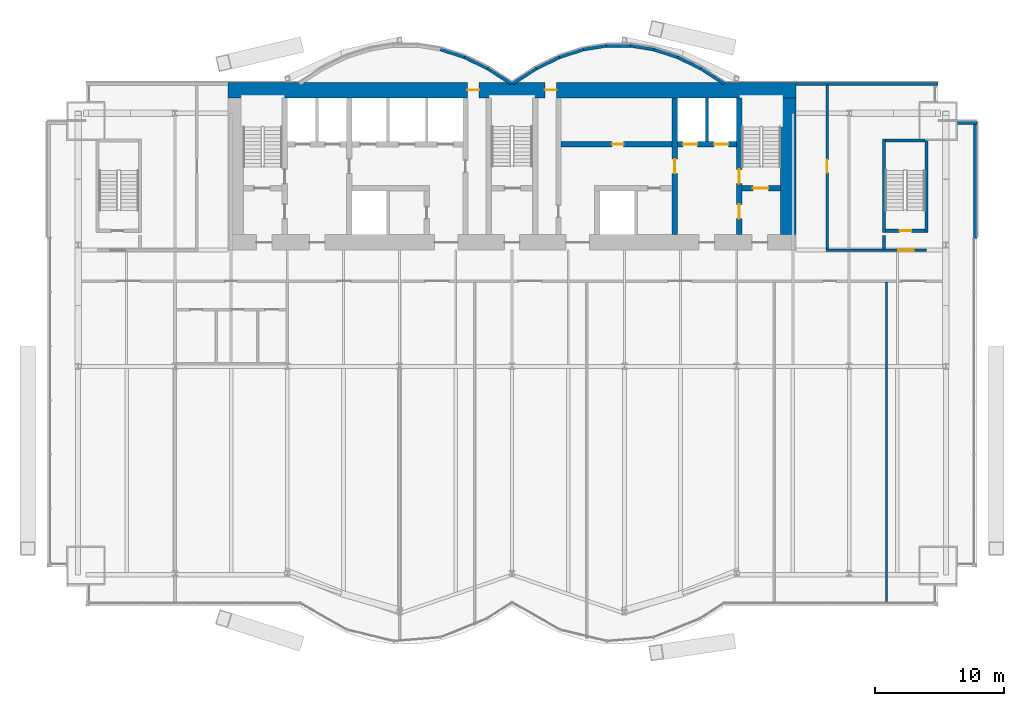
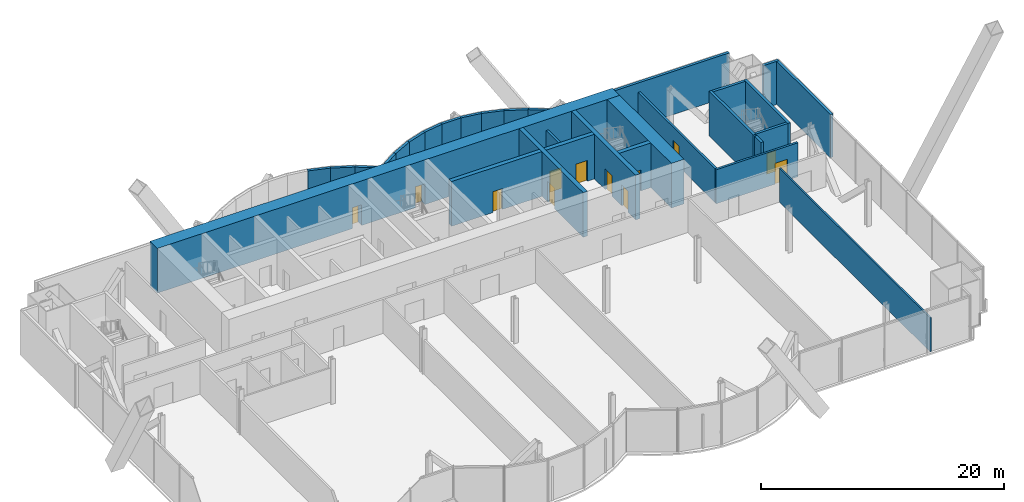
# One storey, part 19 of 23: 30 walls, 12 doors, 12 openings.
"""IFC4 building model written with IfcOpenShell, lengths in metres."""

from ifc_helpers import new_model, si_unit, direction, frame, frame_2d, origin, place, context, subcontext, project, spatial, rectangle, extrude, material, layer, layer_set, layer_usage, type_object, element, fill, save


model = new_model("IFC4")

# Units and contexts
model_context = context("Model", 3, precision=1e-05, world=origin(), true_north=direction((0.0, 1.0)))
body_context = subcontext(model_context, "Body", "Model", "MODEL_VIEW")
ifc_project = project(units=[si_unit("LENGTHUNIT", "METRE"), si_unit("AREAUNIT", "SQUARE_METRE"), si_unit("VOLUMEUNIT", "CUBIC_METRE"), si_unit("PLANEANGLEUNIT", "RADIAN"), si_unit("MASSUNIT", "GRAM", prefix="KILO")], contexts=[model_context])

# Site, building, storey
site_placement = place(None, origin())
site = spatial("IfcSite", under=ifc_project, at=site_placement, CompositionType="ELEMENT")
building_placement = place(site_placement, origin())
building = spatial("IfcBuilding", under=site, at=building_placement, Name="Bicima Exchange Tower", CompositionType="ELEMENT")
storey_placement = place(building_placement, frame((0.0, 0.0, 62.0)))
storey = spatial("IfcBuildingStorey", under=building, at=storey_placement, Name="L12", CompositionType="ELEMENT", Elevation=62.0)

# Wall
ifc_material_1 = material(Name="Gypsum board partition")
ifc_layer_1 = layer(ifc_material_1, 0.199951171875)
ifc_layer_set_1 = layer_set([ifc_layer_1], Name="Gypsum board partition")
wall_type_1 = type_object("IfcWallType", Name="Fire-rated gypsum partition 200 EI120", PredefinedType="PARTITIONING", material=ifc_layer_set_1)
wall_1_placement = place(storey_placement, frame((15.10009765625, -4.60009765625, 0.0), z_axis=(0.0, 0.0, 1.0), x_axis=(0.0, 1.0, 0.0)))
element("IfcWall", 1, at=wall_1_placement, inside=storey, type_object=wall_type_1, Name="partition wall 22", PredefinedType="PARTITIONING", context=body_context, shape_type="SweptSolid", body=[
    extrude(rectangle(XDim=3.400146484375, YDim=0.199951171875, at=frame_2d((1.7001953125, 0.0))), origin(), (0.0, 0.0, 1.0), 3.418212890625),
])

# Wall, opening, door
ifc_layer_2 = layer(ifc_material_1, 0.199951171875)
ifc_layer_set_2 = layer_set([ifc_layer_2], Name="Gypsum board partition")
wall_type_2 = type_object("IfcWallType", Name="Fire-rated gypsum partition 200 EI60", PredefinedType="PARTITIONING", material=ifc_layer_set_2)
wall_2_placement = place(storey_placement, frame((24.300048828125, -13.0, 0.0), z_axis=(0.0, 0.0, 1.0), x_axis=(1.0, 0.0, 0.0)))
wall_2 = element("IfcWall", 2, at=wall_2_placement, inside=storey, type_object=wall_type_2, Name="partition wall 5", PredefinedType="PARTITIONING", context=body_context, shape_type="SweptSolid", body=[
    extrude(rectangle(XDim=7.800048828125, YDim=0.199951171875, at=frame_2d((3.89990234375, 0.0))), origin(), (0.0, 0.0, 1.0), 3.418212890625),
])
opening_1_placement = place(wall_2_placement, frame((5.60009765625, 0.0, 0.0)))
opening_1 = element("IfcOpeningElement", 3, at=opening_1_placement, cuts=wall_2, Name="Opening L12-003", PredefinedType="OPENING", context=body_context, shape_type="SweptSolid", body=[
    extrude(rectangle(XDim=1.199951171875, YDim=2.10009765625, at=frame_2d((0.60009765625, 1.050048828125))), frame((0.0, 0.11181640625, 0.0), z_axis=(0.0, -1.0, 0.0), x_axis=(1.0, 0.0, 0.0)), (0.0, 0.0, 1.0), 0.223876953125),
])
ifc_material_2 = material(Name="Steel fire door leaf", Category="steel")
door_type_1 = type_object("IfcDoorType", Name="Door 1200 swing FD30S", OperationType="SINGLE_SWING_LEFT", PredefinedType="DOOR", material=ifc_material_2)
door_1_placement = place(opening_1_placement, origin())
door_1 = element("IfcDoor", 4, at=door_1_placement, inside=storey, type_object=door_type_1, Name="Door", OperationType="SINGLE_SWING_RIGHT", OverallHeight=2.10009765625, OverallWidth=1.199951171875, PredefinedType="DOOR", context=body_context, shape_type="SweptSolid", body=[
    extrude(rectangle(XDim=1.199951171875, YDim=2.10009765625, at=frame_2d((0.60009765625, 1.050048828125))), frame((0.0, 0.02490234375, 0.0), z_axis=(0.0, -1.0, 0.0), x_axis=(1.0, 0.0, 0.0)), (0.0, 0.0, 1.0), 0.050048828125),
])
fill(opening_1, door_1)

wall_3_placement = place(storey_placement, frame((24.39990234375, -12.89990234375, 0.0), z_axis=(0.0, 0.0, 1.0), x_axis=(0.0, 1.0, 0.0)))
wall_3 = element("IfcWall", 5, at=wall_3_placement, inside=storey, type_object=wall_type_2, Name="partition wall 24", PredefinedType="PARTITIONING", context=body_context, shape_type="SweptSolid", body=[
    extrude(rectangle(XDim=12.68994140625, YDim=0.199951171875, at=frame_2d((6.344970703125, 0.0))), origin(), (0.0, 0.0, 1.0), 3.418212890625),
])
opening_2_placement = place(wall_3_placement, frame((5.89990234375, 0.0, 0.0)))
opening_2 = element("IfcOpeningElement", 6, at=opening_2_placement, cuts=wall_3, Name="Opening L12-006", PredefinedType="OPENING", context=body_context, shape_type="SweptSolid", body=[
    extrude(rectangle(XDim=1.0, YDim=2.10009765625, at=frame_2d((0.5, 1.050048828125))), frame((0.0, 0.11181640625, 0.0), z_axis=(0.0, -1.0, 0.0), x_axis=(1.0, 0.0, 0.0)), (0.0, 0.0, 1.0), 0.223876953125),
])
door_type_2 = type_object("IfcDoorType", Name="Door 1000 swing FD30S", OperationType="SINGLE_SWING_LEFT", PredefinedType="DOOR", material=ifc_material_2)
door_2_placement = place(opening_2_placement, frame((1.0, 0.0, 0.0), z_axis=(0.0, 0.0, 1.0), x_axis=(-1.0, 0.0, 0.0)))
door_2 = element("IfcDoor", 7, at=door_2_placement, inside=storey, type_object=door_type_2, Name="Door", OperationType="SINGLE_SWING_RIGHT", OverallHeight=2.10009765625, OverallWidth=1.0, PredefinedType="DOOR", context=body_context, shape_type="SweptSolid", body=[
    extrude(rectangle(XDim=1.0, YDim=2.10009765625, at=frame_2d((0.5, 1.050048828125))), frame((0.0, 0.02490234375, 0.0), z_axis=(0.0, -1.0, 0.0), x_axis=(1.0, 0.0, 0.0)), (0.0, 0.0, 1.0), 0.050048828125),
])
fill(opening_2, door_2)

# Wall
ifc_layer_3 = layer(ifc_material_1, 0.14990234375)
ifc_layer_set_3 = layer_set([ifc_layer_3], Name="Gypsum board partition")
wall_type_3 = type_object("IfcWallType", Name="Gypsum partition 150", PredefinedType="PARTITIONING", material=ifc_layer_set_3)
wall_4_placement = place(storey_placement, frame((29.0, -40.330078125, 0.0), z_axis=(0.0, 0.0, 1.0), x_axis=(0.0, 1.0, 0.0)))
element("IfcWall", 8, at=wall_4_placement, inside=storey, type_object=wall_type_3, Name="partition wall 26", PredefinedType="PARTITIONING", context=body_context, shape_type="SweptSolid", body=[
    extrude(rectangle(XDim=24.830078125, YDim=0.14990234375, at=frame_2d((12.4150390625, 0.0))), origin(), (0.0, 0.0, 1.0), 3.418212890625),
])

# Wall, openings, doors
ifc_material_3 = material(Name="Concrete C60/75", Category="concrete")
ifc_layer_4 = layer(ifc_material_3, 1.199951171875)
ifc_layer_set_4 = layer_set([ifc_layer_4], Name="Concrete C60/75")
wall_type_4 = type_object("IfcWallType", Name="RC core wall 1200 C60/75", PredefinedType="SHEAR", material=ifc_layer_set_4)
wall_5_placement = place(storey_placement, frame((-22.0, -0.60009765625, 0.0), z_axis=(0.0, 0.0, 1.0), x_axis=(1.0, 0.0, 0.0)))
wall_5 = element("IfcWall", 9, at=wall_5_placement, inside=storey, type_object=wall_type_4, Name="Core wall north", PredefinedType="SHEAR", context=body_context, shape_type="SweptSolid", body=[
    extrude(rectangle(XDim=44.0, YDim=1.199951171875, at=frame_2d((22.0, 0.0))), origin(), (0.0, 0.0, 1.0), 4.5),
])
opening_3_placement = place(wall_5_placement, frame((18.550048828125, 0.0, 0.0)))
opening_3 = element("IfcOpeningElement", 10, at=opening_3_placement, cuts=wall_5, Name="Opening L12-C15", PredefinedType="OPENING", context=body_context, shape_type="SweptSolid", body=[
    extrude(rectangle(XDim=0.89990234375, YDim=2.10009765625, at=frame_2d((0.449951171875, 1.050048828125))), frame((0.0, 0.61181640625, 0.0), z_axis=(0.0, -1.0, 0.0), x_axis=(1.0, 0.0, 0.0)), (0.0, 0.0, 1.0), 1.223876953125),
])
opening_4_placement = place(wall_5_placement, frame((24.550048828125, 0.0, 0.0)))
opening_4 = element("IfcOpeningElement", 11, at=opening_4_placement, cuts=wall_5, Name="Opening L12-C16", PredefinedType="OPENING", context=body_context, shape_type="SweptSolid", body=[
    extrude(rectangle(XDim=0.89990234375, YDim=2.10009765625, at=frame_2d((0.449951171875, 1.050048828125))), frame((0.0, 0.61181640625, 0.0), z_axis=(0.0, -1.0, 0.0), x_axis=(1.0, 0.0, 0.0)), (0.0, 0.0, 1.0), 1.223876953125),
])
door_type_3 = type_object("IfcDoorType", Name="Door 900 swing FD30S", OperationType="SINGLE_SWING_LEFT", PredefinedType="DOOR", material=ifc_material_2)
door_3_placement = place(opening_3_placement, origin())
door_3 = element("IfcDoor", 12, at=door_3_placement, inside=storey, type_object=door_type_3, Name="Core door", OperationType="SINGLE_SWING_LEFT", OverallHeight=2.10009765625, OverallWidth=0.89990234375, PredefinedType="DOOR", context=body_context, shape_type="SweptSolid", body=[
    extrude(rectangle(XDim=0.89990234375, YDim=2.10009765625, at=frame_2d((0.449951171875, 1.050048828125))), frame((0.0, 0.02490234375, 0.0), z_axis=(0.0, -1.0, 0.0), x_axis=(1.0, 0.0, 0.0)), (0.0, 0.0, 1.0), 0.050048828125),
])
fill(opening_3, door_3)
door_4_placement = place(opening_4_placement, origin())
door_4 = element("IfcDoor", 13, at=door_4_placement, inside=storey, type_object=door_type_3, Name="Core door", OperationType="SINGLE_SWING_LEFT", OverallHeight=2.10009765625, OverallWidth=0.89990234375, PredefinedType="DOOR", context=body_context, shape_type="SweptSolid", body=[
    extrude(rectangle(XDim=0.89990234375, YDim=2.10009765625, at=frame_2d((0.449951171875, 1.050048828125))), frame((0.0, 0.02490234375, 0.0), z_axis=(0.0, -1.0, 0.0), x_axis=(1.0, 0.0, 0.0)), (0.0, 0.0, 1.0), 0.050048828125),
])
fill(opening_4, door_4)

# Walls
wall_6_placement = place(storey_placement, frame((21.39990234375, -11.800048828125, 0.0), z_axis=(0.0, 0.0, 1.0), x_axis=(0.0, 1.0, 0.0)))
element("IfcWall", 14, at=wall_6_placement, inside=storey, type_object=wall_type_4, Name="Core wall east", PredefinedType="SHEAR", context=body_context, shape_type="SweptSolid", body=[
    extrude(rectangle(XDim=10.60009765625, YDim=1.199951171875, at=frame_2d((5.300048828125, 0.0))), origin(), (0.0, 0.0, 1.0), 4.5),
])
ifc_material_4 = material(Name="Concrete C50/60", Category="concrete")
ifc_layer_5 = layer(ifc_material_4, 0.25)
ifc_layer_set_5 = layer_set([ifc_layer_5], Name="Concrete C50/60")
wall_type_5 = type_object("IfcWallType", Name="RC core wall 250 C50/60", PredefinedType="SHEAR", material=ifc_layer_set_5)
wall_7_placement = place(storey_placement, frame((28.800048828125, -12.89990234375, 0.0), z_axis=(0.0, 0.0, 1.0), x_axis=(0.0, 1.0, 0.0)))
element("IfcWall", 15, at=wall_7_placement, inside=storey, type_object=wall_type_5, Name="stair wall 25", PredefinedType="SHEAR", context=body_context, shape_type="SweptSolid", body=[
    extrude(rectangle(XDim=1.0498046875, YDim=0.25, at=frame_2d((0.52490234375, 0.0))), origin(), (0.0, 0.0, 1.0), 4.5),
])

# Wall, opening, door
ifc_layer_6 = layer(ifc_material_4, 0.39990234375)
ifc_layer_set_6 = layer_set([ifc_layer_6], Name="Concrete C50/60")
wall_type_6 = type_object("IfcWallType", Name="RC core wall 400 C50/60", PredefinedType="SHEAR", material=ifc_layer_set_6)
wall_8_placement = place(storey_placement, frame((17.800048828125, -8.199951171875, 0.0), z_axis=(0.0, 0.0, 1.0), x_axis=(1.0, 0.0, 0.0)))
wall_8 = element("IfcWall", 16, at=wall_8_placement, inside=storey, type_object=wall_type_6, Name="stair wall 5", PredefinedType="SHEAR", context=body_context, shape_type="SweptSolid", body=[
    extrude(rectangle(XDim=3.0, YDim=0.39990234375, at=frame_2d((1.5, 0.0))), origin(), (0.0, 0.0, 1.0), 4.5),
])
opening_5_placement = place(wall_8_placement, frame((0.85009765625, 0.0, 0.0)))
opening_5 = element("IfcOpeningElement", 17, at=opening_5_placement, cuts=wall_8, Name="Opening L12-C04", PredefinedType="OPENING", context=body_context, shape_type="SweptSolid", body=[
    extrude(rectangle(XDim=1.199951171875, YDim=2.10009765625, at=frame_2d((0.60009765625, 1.050048828125))), frame((0.0, 0.2119140625, 0.0), z_axis=(0.0, -1.0, 0.0), x_axis=(1.0, 0.0, 0.0)), (0.0, 0.0, 1.0), 0.423828125),
])
door_type_4 = type_object("IfcDoorType", Name="Door 1200 swing FD60S", OperationType="SINGLE_SWING_LEFT", PredefinedType="DOOR", material=ifc_material_2)
door_5_placement = place(opening_5_placement, origin())
door_5 = element("IfcDoor", 18, at=door_5_placement, inside=storey, type_object=door_type_4, Name="Core door", OperationType="SINGLE_SWING_RIGHT", OverallHeight=2.10009765625, OverallWidth=1.199951171875, PredefinedType="DOOR", context=body_context, shape_type="SweptSolid", body=[
    extrude(rectangle(XDim=1.199951171875, YDim=2.10009765625, at=frame_2d((0.60009765625, 1.050048828125))), frame((0.0, 0.02490234375, 0.0), z_axis=(0.0, -1.0, 0.0), x_axis=(1.0, 0.0, 0.0)), (0.0, 0.0, 1.0), 0.050048828125),
])
fill(opening_5, door_5)

# Wall, openings, doors
wall_9_placement = place(storey_placement, frame((17.60009765625, -11.800048828125, 0.0), z_axis=(0.0, 0.0, 1.0), x_axis=(0.0, 1.0, 0.0)))
wall_9 = element("IfcWall", 19, at=wall_9_placement, inside=storey, type_object=wall_type_6, Name="stair wall 23", PredefinedType="SHEAR", context=body_context, shape_type="SweptSolid", body=[
    extrude(rectangle(XDim=10.60009765625, YDim=0.39990234375, at=frame_2d((5.300048828125, 0.0))), origin(), (0.0, 0.0, 1.0), 4.5),
])
opening_6_placement = place(wall_9_placement, frame((1.25, 0.0, 0.0)))
opening_6 = element("IfcOpeningElement", 20, at=opening_6_placement, cuts=wall_9, Name="Opening L12-C05", PredefinedType="OPENING", context=body_context, shape_type="SweptSolid", body=[
    extrude(rectangle(XDim=1.10009765625, YDim=2.10009765625, at=frame_2d((0.550048828125, 1.050048828125))), frame((0.0, 0.2119140625, 0.0), z_axis=(0.0, -1.0, 0.0), x_axis=(1.0, 0.0, 0.0)), (0.0, 0.0, 1.0), 0.423828125),
])
opening_7_placement = place(wall_9_placement, frame((3.949951171875, 0.0, 0.0)))
opening_7 = element("IfcOpeningElement", 21, at=opening_7_placement, cuts=wall_9, Name="Opening L12-C08", PredefinedType="OPENING", context=body_context, shape_type="SweptSolid", body=[
    extrude(rectangle(XDim=1.10009765625, YDim=2.10009765625, at=frame_2d((0.550048828125, 1.050048828125))), frame((0.0, 0.2119140625, 0.0), z_axis=(0.0, -1.0, 0.0), x_axis=(1.0, 0.0, 0.0)), (0.0, 0.0, 1.0), 0.423828125),
])
door_type_5 = type_object("IfcDoorType", Name="Door 1100 swing FD60S", OperationType="SINGLE_SWING_LEFT", PredefinedType="DOOR", material=ifc_material_2)
door_6_placement = place(opening_6_placement, origin())
door_6 = element("IfcDoor", 22, at=door_6_placement, inside=storey, type_object=door_type_5, Name="Core door", OperationType="SINGLE_SWING_LEFT", OverallHeight=2.10009765625, OverallWidth=1.10009765625, PredefinedType="DOOR", context=body_context, shape_type="SweptSolid", body=[
    extrude(rectangle(XDim=1.10009765625, YDim=2.10009765625, at=frame_2d((0.550048828125, 1.050048828125))), frame((0.0, 0.02490234375, 0.0), z_axis=(0.0, -1.0, 0.0), x_axis=(1.0, 0.0, 0.0)), (0.0, 0.0, 1.0), 0.050048828125),
])
fill(opening_6, door_6)
door_7_placement = place(opening_7_placement, origin())
door_7 = element("IfcDoor", 23, at=door_7_placement, inside=storey, type_object=door_type_5, Name="Core door", OperationType="SINGLE_SWING_RIGHT", OverallHeight=2.10009765625, OverallWidth=1.10009765625, PredefinedType="DOOR", context=body_context, shape_type="SweptSolid", body=[
    extrude(rectangle(XDim=1.10009765625, YDim=2.10009765625, at=frame_2d((0.550048828125, 1.050048828125))), frame((0.0, 0.02490234375, 0.0), z_axis=(0.0, -1.0, 0.0), x_axis=(1.0, 0.0, 0.0)), (0.0, 0.0, 1.0), 0.050048828125),
])
fill(opening_7, door_7)

ifc_layer_7 = layer(ifc_material_3, 0.39990234375)
ifc_layer_set_7 = layer_set([ifc_layer_7], Name="Concrete C60/75")
wall_type_7 = type_object("IfcWallType", Name="RC core wall 400 C60/75", PredefinedType="SHEAR", material=ifc_layer_set_7)
wall_10_placement = place(storey_placement, frame((3.800048828125, -4.800048828125, 0.0), z_axis=(0.0, 0.0, 1.0), x_axis=(1.0, 0.0, 0.0)))
wall_10 = element("IfcWall", 24, at=wall_10_placement, inside=storey, type_object=wall_type_7, Name="shear wall 7", PredefinedType="SHEAR", context=body_context, shape_type="SweptSolid", body=[
    extrude(rectangle(XDim=13.599853515625, YDim=0.39990234375, at=frame_2d((6.7998046875, 0.0))), origin(), (0.0, 0.0, 1.0), 4.5),
])
opening_8_placement = place(wall_10_placement, frame((9.449951171875, 0.0, 0.0)))
opening_8 = element("IfcOpeningElement", 25, at=opening_8_placement, cuts=wall_10, Name="Opening LD-FF2-L12", PredefinedType="OPENING", context=body_context, shape_type="SweptSolid", body=[
    extrude(rectangle(XDim=1.10009765625, YDim=2.10009765625, at=frame_2d((0.550048828125, 1.050048828125))), frame((0.0, 0.2119140625, 0.0), z_axis=(0.0, -1.0, 0.0), x_axis=(1.0, 0.0, 0.0)), (0.0, 0.0, 1.0), 0.423828125),
])
opening_9_placement = place(wall_10_placement, frame((11.85009765625, 0.0, 0.0)))
opening_9 = element("IfcOpeningElement", 26, at=opening_9_placement, cuts=wall_10, Name="Opening LD-SV1-L12", PredefinedType="OPENING", context=body_context, shape_type="SweptSolid", body=[
    extrude(rectangle(XDim=1.10009765625, YDim=2.10009765625, at=frame_2d((0.550048828125, 1.050048828125))), frame((0.0, 0.2119140625, 0.0), z_axis=(0.0, -1.0, 0.0), x_axis=(1.0, 0.0, 0.0)), (0.0, 0.0, 1.0), 0.423828125),
])
opening_10_placement = place(wall_10_placement, frame((3.949951171875, 0.0, 0.0)))
opening_10 = element("IfcOpeningElement", 27, at=opening_10_placement, cuts=wall_10, Name="Opening L12-C12", PredefinedType="OPENING", context=body_context, shape_type="SweptSolid", body=[
    extrude(rectangle(XDim=0.89990234375, YDim=2.10009765625, at=frame_2d((0.449951171875, 1.050048828125))), frame((0.0, 0.2119140625, 0.0), z_axis=(0.0, -1.0, 0.0), x_axis=(1.0, 0.0, 0.0)), (0.0, 0.0, 1.0), 0.423828125),
])
door_8_placement = place(opening_10_placement, origin())
door_8 = element("IfcDoor", 28, at=door_8_placement, inside=storey, type_object=door_type_3, Name="Core door", OperationType="SINGLE_SWING_RIGHT", OverallHeight=2.10009765625, OverallWidth=0.89990234375, PredefinedType="DOOR", context=body_context, shape_type="SweptSolid", body=[
    extrude(rectangle(XDim=0.89990234375, YDim=2.10009765625, at=frame_2d((0.449951171875, 1.050048828125))), frame((0.0, 0.02490234375, 0.0), z_axis=(0.0, -1.0, 0.0), x_axis=(1.0, 0.0, 0.0)), (0.0, 0.0, 1.0), 0.050048828125),
])
fill(opening_10, door_8)
ifc_material_5 = material(Name="Stainless steel", Category="steel")
door_type_6 = type_object("IfcDoorType", Name="Lift landing door 1100 sliding", OperationType="DOUBLE_DOOR_SLIDING", PredefinedType="DOOR", material=ifc_material_5)
door_9_placement = place(opening_8_placement, origin())
door_9 = element("IfcDoor", 29, at=door_9_placement, inside=storey, type_object=door_type_6, Name="Lift landing door FF2", OperationType="DOUBLE_DOOR_SLIDING", OverallHeight=2.10009765625, OverallWidth=1.10009765625, PredefinedType="DOOR", context=body_context, shape_type="SweptSolid", body=[
    extrude(rectangle(XDim=1.10009765625, YDim=2.10009765625, at=frame_2d((0.550048828125, 1.050048828125))), frame((0.0, 0.02490234375, 0.0), z_axis=(0.0, -1.0, 0.0), x_axis=(1.0, 0.0, 0.0)), (0.0, 0.0, 1.0), 0.050048828125),
])
fill(opening_8, door_9)
door_10_placement = place(opening_9_placement, origin())
door_10 = element("IfcDoor", 30, at=door_10_placement, inside=storey, type_object=door_type_6, Name="Lift landing door SV1", OperationType="DOUBLE_DOOR_SLIDING", OverallHeight=2.10009765625, OverallWidth=1.10009765625, PredefinedType="DOOR", context=body_context, shape_type="SweptSolid", body=[
    extrude(rectangle(XDim=1.10009765625, YDim=2.10009765625, at=frame_2d((0.550048828125, 1.050048828125))), frame((0.0, 0.02490234375, 0.0), z_axis=(0.0, -1.0, 0.0), x_axis=(1.0, 0.0, 0.0)), (0.0, 0.0, 1.0), 0.050048828125),
])
fill(opening_9, door_10)

# Wall, opening, door
wall_11_placement = place(storey_placement, frame((12.60009765625, -11.800048828125, 0.0), z_axis=(0.0, 0.0, 1.0), x_axis=(0.0, 1.0, 0.0)))
wall_11 = element("IfcWall", 31, at=wall_11_placement, inside=storey, type_object=wall_type_7, Name="shear wall 21", PredefinedType="SHEAR", context=body_context, shape_type="SweptSolid", body=[
    extrude(rectangle(XDim=10.60009765625, YDim=0.39990234375, at=frame_2d((5.300048828125, 0.0))), origin(), (0.0, 0.0, 1.0), 4.5),
])
opening_11_placement = place(wall_11_placement, frame((4.75, 0.0, 0.0)))
opening_11 = element("IfcOpeningElement", 32, at=opening_11_placement, cuts=wall_11, Name="Opening L12-C09", PredefinedType="OPENING", context=body_context, shape_type="SweptSolid", body=[
    extrude(rectangle(XDim=1.10009765625, YDim=2.10009765625, at=frame_2d((0.550048828125, 1.050048828125))), frame((0.0, 0.2119140625, 0.0), z_axis=(0.0, -1.0, 0.0), x_axis=(1.0, 0.0, 0.0)), (0.0, 0.0, 1.0), 0.423828125),
])
door_11_placement = place(opening_11_placement, frame((1.10009765625, 0.0, 0.0), z_axis=(0.0, 0.0, 1.0), x_axis=(-1.0, 0.0, 0.0)))
door_11 = element("IfcDoor", 33, at=door_11_placement, inside=storey, type_object=door_type_5, Name="Core door", OperationType="SINGLE_SWING_RIGHT", OverallHeight=2.10009765625, OverallWidth=1.10009765625, PredefinedType="DOOR", context=body_context, shape_type="SweptSolid", body=[
    extrude(rectangle(XDim=1.10009765625, YDim=2.10009765625, at=frame_2d((0.550048828125, 1.050048828125))), frame((0.0, 0.02490234375, 0.0), z_axis=(0.0, -1.0, 0.0), x_axis=(1.0, 0.0, 0.0)), (0.0, 0.0, 1.0), 0.050048828125),
])
fill(opening_11, door_11)

# Walls
ifc_layer_8 = layer(ifc_material_4, 0.25)
ifc_layer_set_8 = layer_set([ifc_layer_8], Name="Concrete C50/60")
wall_type_8 = type_object("IfcWallType", Name="RC stair enclosure wall 250 C50/60", PredefinedType="SHEAR", material=ifc_layer_set_8)
for number, where, z_axis, x_axis, name in (
    (34, (28.800048828125, -11.625, 0.0), (0.0, 0.0, 1.0), (0.0, 1.0, 0.0), "East end exit stair wall W"),
    (35, (32.10009765625, -11.625, 0.0), (0.0, 0.0, 1.0), (0.0, 1.0, 0.0), "East end exit stair wall E"),
):
    element("IfcWall", number, at=place(storey_placement, frame(where, z_axis=z_axis, x_axis=x_axis)), inside=storey, type_object=wall_type_8, Name=name, PredefinedType="SHEAR", context=body_context, shape_type="SweptSolid", body=[
        extrude(rectangle(XDim=7.25, YDim=0.25, at=frame_2d((3.625, 0.0))), origin(), (0.0, 0.0, 1.0), 4.5),
    ])

# Wall, opening, door
wall_12_placement = place(storey_placement, frame((28.925048828125, -11.5, 0.0), z_axis=(0.0, 0.0, 1.0), x_axis=(1.0, 0.0, 0.0)))
wall_12 = element("IfcWall", 36, at=wall_12_placement, inside=storey, type_object=wall_type_8, Name="East end exit stair wall S", PredefinedType="SHEAR", context=body_context, shape_type="SweptSolid", body=[
    extrude(rectangle(XDim=3.050048828125, YDim=0.25, at=frame_2d((1.52490234375, 0.0))), origin(), (0.0, 0.0, 1.0), 4.5),
])
opening_12_placement = place(wall_12_placement, frame((1.10009765625, 0.0, 0.0)))
opening_12 = element("IfcOpeningElement", 37, at=opening_12_placement, cuts=wall_12, Name="Opening L12-004", PredefinedType="OPENING", context=body_context, shape_type="SweptSolid", body=[
    extrude(rectangle(XDim=0.89990234375, YDim=2.10009765625, at=frame_2d((0.449951171875, 1.050048828125))), frame((0.0, 0.136962890625, 0.0), z_axis=(0.0, -1.0, 0.0), x_axis=(1.0, 0.0, 0.0)), (0.0, 0.0, 1.0), 0.27392578125),
])
door_type_7 = type_object("IfcDoorType", Name="Door 900 swing FD60S", OperationType="SINGLE_SWING_LEFT", PredefinedType="DOOR", material=ifc_material_2)
door_12_placement = place(opening_12_placement, origin())
door_12 = element("IfcDoor", 38, at=door_12_placement, inside=storey, type_object=door_type_7, Name="Door", OperationType="SINGLE_SWING_LEFT", OverallHeight=2.10009765625, OverallWidth=0.89990234375, PredefinedType="DOOR", context=body_context, shape_type="SweptSolid", body=[
    extrude(rectangle(XDim=0.89990234375, YDim=2.10009765625, at=frame_2d((0.449951171875, 1.050048828125))), frame((0.0, 0.02490234375, 0.0), z_axis=(0.0, -1.0, 0.0), x_axis=(1.0, 0.0, 0.0)), (0.0, 0.0, 1.0), 0.050048828125),
])
fill(opening_12, door_12)

# Walls
wall_13_placement = place(storey_placement, frame((28.925048828125, -4.5, 0.0), z_axis=(0.0, 0.0, 1.0), x_axis=(1.0, 0.0, 0.0)))
element("IfcWall", 39, at=wall_13_placement, inside=storey, type_object=wall_type_8, Name="East end exit stair wall N", PredefinedType="SHEAR", context=body_context, shape_type="SweptSolid", body=[
    extrude(rectangle(XDim=3.050048828125, YDim=0.25, at=frame_2d((1.52490234375, 0.0))), origin(), (0.0, 0.0, 1.0), 4.5),
])
ifc_material_6 = material(Name="Concrete C40/50", Category="concrete")
ifc_layer_9 = layer(ifc_material_6, 0.25)
ifc_layer_set_9 = layer_set([ifc_layer_9], Name="Concrete C40/50")
ifc_layer_usage = layer_usage(ifc_layer_set_9, "AXIS2", "POSITIVE", -0.125)
wall_type_9 = type_object("IfcWallType", Name="Rear backup wall 250", PredefinedType="STANDARD", material=ifc_layer_set_9)
wall_14_placement = place(storey_placement, frame((33.0, -0.125, 0.0), z_axis=(0.0, 0.0, 1.0), x_axis=(-1.0, 0.0, 0.0)))
element("IfcWall", 40, at=wall_14_placement, inside=storey, type_object=wall_type_9, material=ifc_layer_usage, Name="Rear backup wall L12 1", PredefinedType="STANDARD", context=body_context, shape_type="SweptSolid", body=[
    extrude(rectangle(XDim=11.0, YDim=0.25, at=frame_2d((5.5, 0.0))), origin(), (0.0, 0.0, 1.0), 4.35009765625),
])
wall_15_placement = place(storey_placement, frame((16.43212890625, -0.10498046875, 0.0), z_axis=(0.0, 0.0, 1.0), x_axis=(-0.83981312244, 0.542875602121, 0.0)))
element("IfcWall", 41, at=wall_15_placement, inside=storey, type_object=wall_type_9, material=ifc_layer_usage, Name="Rear backup wall L12 2", PredefinedType="STANDARD", context=body_context, shape_type="SweptSolid", body=[
    extrude(rectangle(XDim=2.182861328125, YDim=0.25, at=frame_2d((1.09130859375, 0.0))), origin(), (0.0, 0.0, 1.0), 4.35009765625),
])
wall_16_placement = place(storey_placement, frame((14.6123046875, 1.07275390625, 0.0), z_axis=(0.0, 0.0, 1.0), x_axis=(-0.89982408427, 0.436252928206, 0.0)))
element("IfcWall", 42, at=wall_16_placement, inside=storey, type_object=wall_type_9, material=ifc_layer_usage, Name="Rear backup wall L12 3", PredefinedType="STANDARD", context=body_context, shape_type="SweptSolid", body=[
    extrude(rectangle(XDim=2.03759765625, YDim=0.25, at=frame_2d((1.018798828125, 0.0))), origin(), (0.0, 0.0, 1.0), 4.35009765625),
])
wall_17_placement = place(storey_placement, frame((12.794921875, 1.955078125, 0.0), z_axis=(0.0, 0.0, 1.0), x_axis=(-0.951495806175, 0.307661714928, 0.0)))
element("IfcWall", 43, at=wall_17_placement, inside=storey, type_object=wall_type_9, material=ifc_layer_usage, Name="Rear backup wall L12 4", PredefinedType="STANDARD", context=body_context, shape_type="SweptSolid", body=[
    extrude(rectangle(XDim=1.9267578125, YDim=0.25, at=frame_2d((0.96337890625, 0.0))), origin(), (0.0, 0.0, 1.0), 4.35009765625),
])
wall_18_placement = place(storey_placement, frame((10.97998046875, 2.543212890625, 0.0), z_axis=(0.0, 0.0, 1.0), x_axis=(-0.987181718931, 0.159600293885, 0.0)))
element("IfcWall", 44, at=wall_18_placement, inside=storey, type_object=wall_type_9, material=ifc_layer_usage, Name="Rear backup wall L12 5", PredefinedType="STANDARD", context=body_context, shape_type="SweptSolid", body=[
    extrude(rectangle(XDim=1.857177734375, YDim=0.25, at=frame_2d((0.9287109375, 0.0))), origin(), (0.0, 0.0, 1.0), 4.35009765625),
])
wall_19_placement = place(storey_placement, frame((9.166748046875, 2.837890625, 0.0), z_axis=(0.0, 0.0, 1.0), x_axis=(-1.0, 0.0, 0.0)))
element("IfcWall", 45, at=wall_19_placement, inside=storey, type_object=wall_type_9, material=ifc_layer_usage, Name="Rear backup wall L12 6", PredefinedType="STANDARD", context=body_context, shape_type="SweptSolid", body=[
    extrude(rectangle(XDim=1.83349609375, YDim=0.25, at=frame_2d((0.916748046875, 0.0))), origin(), (0.0, 0.0, 1.0), 4.35009765625),
])
wall_20_placement = place(storey_placement, frame((7.353271484375, 2.839599609375, 0.0), z_axis=(0.0, 0.0, 1.0), x_axis=(-0.987181718931, -0.159600293885, 0.0)))
element("IfcWall", 46, at=wall_20_placement, inside=storey, type_object=wall_type_9, material=ifc_layer_usage, Name="Rear backup wall L12 7", PredefinedType="STANDARD", context=body_context, shape_type="SweptSolid", body=[
    extrude(rectangle(XDim=1.857177734375, YDim=0.25, at=frame_2d((0.9287109375, 0.0))), origin(), (0.0, 0.0, 1.0), 4.35009765625),
])
wall_21_placement = place(storey_placement, frame((5.538330078125, 2.5478515625, 0.0), z_axis=(0.0, 0.0, 1.0), x_axis=(-0.951495806175, -0.307661714928, 0.0)))
element("IfcWall", 47, at=wall_21_placement, inside=storey, type_object=wall_type_9, material=ifc_layer_usage, Name="Rear backup wall L12 8", PredefinedType="STANDARD", context=body_context, shape_type="SweptSolid", body=[
    extrude(rectangle(XDim=1.9267578125, YDim=0.25, at=frame_2d((0.96337890625, 0.0))), origin(), (0.0, 0.0, 1.0), 4.35009765625),
])
wall_22_placement = place(storey_placement, frame((3.72119140625, 1.961669921875, 0.0), z_axis=(0.0, 0.0, 1.0), x_axis=(-0.89982408427, -0.436252928206, 0.0)))
element("IfcWall", 48, at=wall_22_placement, inside=storey, type_object=wall_type_9, material=ifc_layer_usage, Name="Rear backup wall L12 9", PredefinedType="STANDARD", context=body_context, shape_type="SweptSolid", body=[
    extrude(rectangle(XDim=2.03759765625, YDim=0.25, at=frame_2d((1.018798828125, 0.0))), origin(), (0.0, 0.0, 1.0), 4.35009765625),
])
for number, where, z_axis, x_axis, name in (
    (49, (1.901123046875, 1.080078125, 0.0), (0.0, 0.0, 1.0), (-0.83981312244, -0.542875602121, 0.0), "Rear backup wall L12 10"),
    (50, (-0.06787109375, -0.10498046875, 0.0), (0.0, 0.0, 1.0), (-0.83981312244, 0.542875602121, 0.0), "Rear backup wall L12 11"),
):
    element("IfcWall", number, at=place(storey_placement, frame(where, z_axis=z_axis, x_axis=x_axis)), inside=storey, type_object=wall_type_9, material=ifc_layer_usage, Name=name, PredefinedType="STANDARD", context=body_context, shape_type="SweptSolid", body=[
        extrude(rectangle(XDim=2.182861328125, YDim=0.25, at=frame_2d((1.09130859375, 0.0))), origin(), (0.0, 0.0, 1.0), 4.35009765625),
    ])
wall_23_placement = place(storey_placement, frame((-1.8876953125, 1.07275390625, 0.0), z_axis=(0.0, 0.0, 1.0), x_axis=(-0.89982408427, 0.436252928206, 0.0)))
element("IfcWall", 51, at=wall_23_placement, inside=storey, type_object=wall_type_9, material=ifc_layer_usage, Name="Rear backup wall L12 12", PredefinedType="STANDARD", context=body_context, shape_type="SweptSolid", body=[
    extrude(rectangle(XDim=2.03759765625, YDim=0.25, at=frame_2d((1.018798828125, 0.0))), origin(), (0.0, 0.0, 1.0), 4.35009765625),
])
wall_24_placement = place(storey_placement, frame((-3.705078125, 1.955078125, 0.0), z_axis=(0.0, 0.0, 1.0), x_axis=(-0.951495806175, 0.307661714928, 0.0)))
element("IfcWall", 52, at=wall_24_placement, inside=storey, type_object=wall_type_9, material=ifc_layer_usage, Name="Rear backup wall L12 13", PredefinedType="STANDARD", context=body_context, shape_type="SweptSolid", body=[
    extrude(rectangle(XDim=1.9267578125, YDim=0.25, at=frame_2d((0.96337890625, 0.0))), origin(), (0.0, 0.0, 1.0), 4.35009765625),
])
wall_25_placement = place(storey_placement, frame((35.875, -12.090087890625, 0.0), z_axis=(0.0, 0.0, 1.0), x_axis=(0.0, 1.0, 0.0)))
element("IfcWall", 53, at=wall_25_placement, inside=storey, type_object=wall_type_9, material=ifc_layer_usage, Name="Rear backup wall L12 50", PredefinedType="STANDARD", context=body_context, shape_type="SweptSolid", body=[
    extrude(rectangle(XDim=9.090087890625, YDim=0.25, at=frame_2d((4.544921875, 0.0))), origin(), (0.0, 0.0, 1.0), 4.35009765625),
])
wall_26_placement = place(storey_placement, frame((36.0, -3.125, 0.0), z_axis=(0.0, 0.0, 1.0), x_axis=(-1.0, 0.0, 0.0)))
element("IfcWall", 54, at=wall_26_placement, inside=storey, type_object=wall_type_9, material=ifc_layer_usage, Name="Rear backup wall L12 51", PredefinedType="STANDARD", context=body_context, shape_type="SweptSolid", body=[
    extrude(rectangle(XDim=1.5, YDim=0.25, at=frame_2d((0.75, 0.0))), origin(), (0.0, 0.0, 1.0), 4.35009765625),
])

save(model, "model.ifc")
